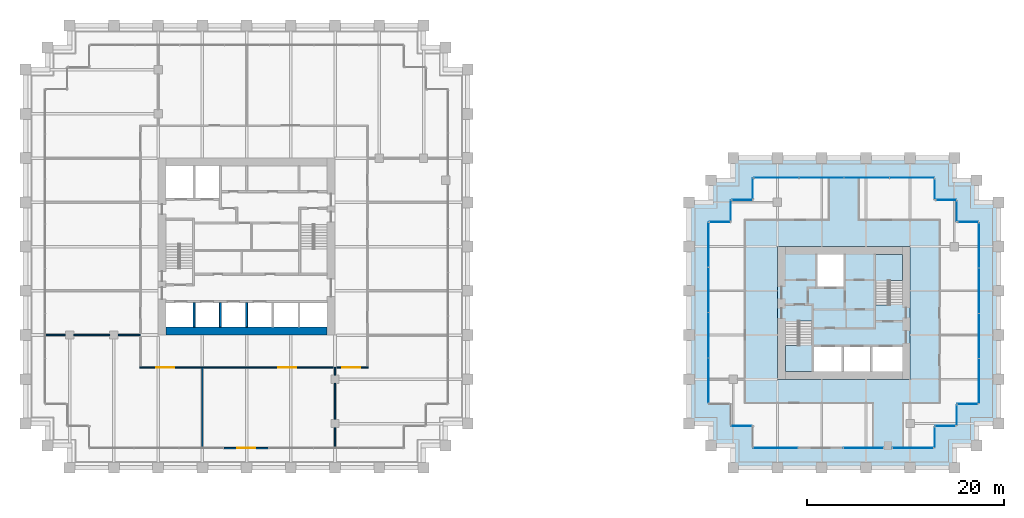
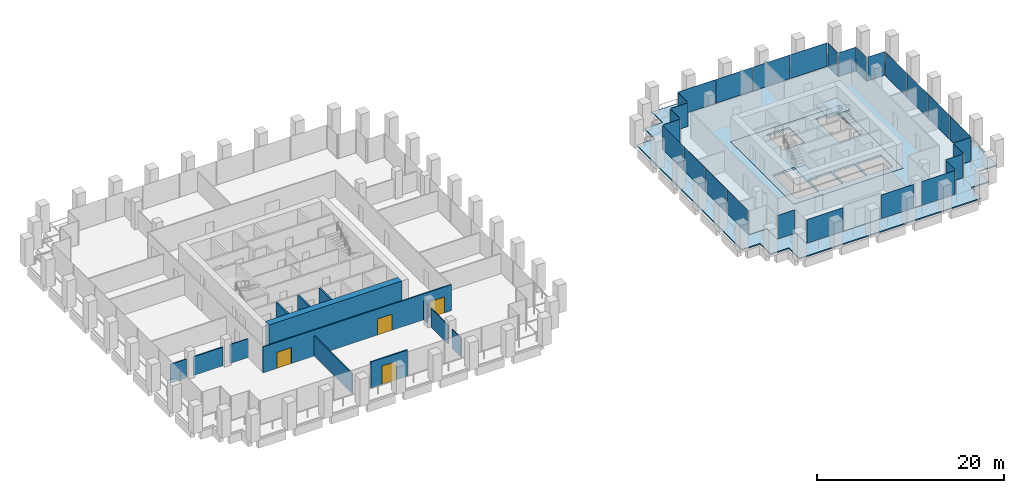
# One storey, part 49 of 56: 28 plates, 13 walls, 5 slabs, 4 doors, 4 openings, 21 elements without a shape of their own.
"""IFC4 building model written with IfcOpenShell, lengths in metres."""

from ifc_helpers import new_model, si_unit, direction, frame, frame_2d, origin, origin_2d, place, context, subcontext, project, spatial, polyline, rectangle, outline, extrude, material, layer, layer_set, type_object, element, fill, aggregate, save


model = new_model("IFC4")

# Units and contexts
model_context = context("Model", 3, precision=1e-05, world=origin(), true_north=direction((0.0, 1.0)))
body_context = subcontext(model_context, "Body", "Model", "MODEL_VIEW")
ifc_project = project(units=[si_unit("LENGTHUNIT", "METRE"), si_unit("AREAUNIT", "SQUARE_METRE"), si_unit("VOLUMEUNIT", "CUBIC_METRE"), si_unit("PLANEANGLEUNIT", "RADIAN"), si_unit("MASSUNIT", "GRAM", prefix="KILO")], contexts=[model_context])

# Site, building, storey
site_placement = place(None, origin())
site = spatial("IfcSite", under=ifc_project, at=site_placement, CompositionType="ELEMENT")
building_placement = place(site_placement, origin())
building = spatial("IfcBuilding", under=site, at=building_placement, Name="Altepetl Exchange Towers", CompositionType="ELEMENT")
storey_placement = place(building_placement, frame((0.0, 0.0, 83.39990234375)))
storey = spatial("IfcBuildingStorey", under=building, at=storey_placement, Name="L20", CompositionType="ELEMENT", Elevation=83.39990234375)

# Slabs
ifc_material_1 = material(Name="Concrete C40/50", Category="concrete")
ifc_layer_1 = layer(ifc_material_1, 0.14990234375)
ifc_layer_set_1 = layer_set([ifc_layer_1], Name="Concrete C40/50")
slab_type_1 = type_object("IfcSlabType", Name="Composite floor slab 150", PredefinedType="FLOOR", material=ifc_layer_set_1)
slab_1_placement = place(storey_placement, frame((0.0, 0.0, -0.14990234375)))
element("IfcSlab", 1, at=slab_1_placement, inside=storey, type_object=slab_type_1, Name="slab:B:L20:strip0", PredefinedType="FLOOR", context=body_context, shape_type="SweptSolid", body=[
    extrude(outline(polyline([(98.75, 54.25), (98.75, 52.0), (96.5, 52.0), (96.5, 33.5), (98.75, 33.5), (98.75, 31.25), (101.0, 31.25), (101.0, 29.0), (119.5, 29.0), (119.5, 31.25), (121.75, 31.25), (121.75, 33.5), (124.0, 33.5), (124.0, 52.0), (121.75, 52.0), (121.75, 54.25), (119.5, 54.25), (119.5, 56.5), (101.0, 56.5), (101.0, 54.25), (98.75, 54.25)]), holes=[polyline([(117.0, 49.5), (117.0, 36.0), (103.5, 36.0), (103.5, 49.5), (117.0, 49.5)])]), origin(), (0.0, 0.0, 1.0), 0.14990234375),
])
ifc_layer_2 = layer(ifc_material_1, 0.25)
ifc_layer_set_2 = layer_set([ifc_layer_2], Name="Concrete C40/50")
slab_type_2 = type_object("IfcSlabType", Name="Core floor slab 250", PredefinedType="FLOOR", material=ifc_layer_set_2)
slab_2_placement = place(storey_placement, frame((0.0, 0.0, -0.25)))
element("IfcSlab", 2, at=slab_2_placement, inside=storey, type_object=slab_type_2, Name="slab:B:L20:core0", PredefinedType="FLOOR", context=body_context, shape_type="SweptSolid", body=[
    extrude(outline(polyline([(103.5, 36.0), (117.0, 36.0), (117.0, 49.5), (103.5, 49.5), (103.5, 36.0)]), holes=[polyline([(107.199951171875, 36.800048828125), (107.199951171875, 39.300048828125), (110.032958984375, 39.300048828125), (110.032958984375, 36.800048828125), (107.199951171875, 36.800048828125)]), polyline([(110.23291015625, 39.300048828125), (112.967041015625, 39.300048828125), (112.967041015625, 36.800048828125), (110.23291015625, 36.800048828125), (110.23291015625, 39.300048828125)]), polyline([(113.1669921875, 39.300048828125), (116.199951171875, 39.300048828125), (116.199951171875, 36.800048828125), (113.1669921875, 36.800048828125), (113.1669921875, 39.300048828125)]), polyline([(107.0, 36.800048828125), (104.300048828125, 36.800048828125), (104.300048828125, 41.85009765625), (105.60009765625, 41.85009765625), (105.60009765625, 41.948974609375), (107.0, 41.948974609375), (107.0, 36.800048828125)]), polyline([(116.199951171875, 48.699951171875), (116.199951171875, 43.64990234375), (114.89990234375, 43.64990234375), (114.89990234375, 43.551025390625), (113.5, 43.551025390625), (113.5, 48.699951171875), (116.199951171875, 48.699951171875)]), polyline([(107.532958984375, 48.699951171875), (110.26708984375, 48.699951171875), (110.26708984375, 45.39990234375), (107.532958984375, 45.39990234375), (107.532958984375, 48.699951171875)])]), origin(), (0.0, 0.0, 1.0), 0.25),
])

# Curtain wall, plate
ifc_material_2 = material(Name="Aluminium 6063-T6 glazing", Category="aluminium")
curtain_wall_type = type_object("IfcCurtainWallType", Name="Loggia glazing system", PredefinedType="NOTDEFINED", material=ifc_material_2)
curtain_wall_1_placement = place(storey_placement, origin())
curtain_wall_1 = element("IfcCurtainWall", 3, at=curtain_wall_1_placement, inside=storey, type_object=curtain_wall_type, Name="CW1 run", PredefinedType="NOTDEFINED")
ifc_material_3 = material(Name="Glass 6-16-6 low emissivity", Category="glass")
ifc_layer_3 = layer(ifc_material_3, 0.028076171875)
ifc_layer_set_3 = layer_set([ifc_layer_3], Name="Glass 6-16-6 low emissivity")
plate_type = type_object("IfcPlateType", Name="Glass panel 28 double glazed", PredefinedType="CURTAIN_PANEL", material=ifc_layer_set_3)
plate_1_placement = place(storey_placement, frame((97.66259765625, 52.0, 0.0), z_axis=(0.0, 0.0, 1.0), x_axis=(-1.0, 0.0, 0.0)))
plate_1 = element("IfcPlate", 4, at=plate_1_placement, type_object=plate_type, Name="GP1 panel", PredefinedType="CURTAIN_PANEL", context=body_context, shape_type="SweptSolid", body=[
    extrude(rectangle(XDim=2.054931640625, YDim=0.028076171875, at=origin_2d()), origin(), (0.0, 0.0, 1.0), 3.10009765625),
])
aggregate(curtain_wall_1, [plate_1])

# Curtain wall, plates
curtain_wall_2_placement = place(storey_placement, origin())
curtain_wall_2 = element("IfcCurtainWall", 5, at=curtain_wall_2_placement, inside=storey, type_object=curtain_wall_type, Name="CW1 run", PredefinedType="NOTDEFINED")
plate_2_placement = place(storey_placement, frame((96.5, 49.681884765625, 0.0), z_axis=(0.0, 0.0, 1.0), x_axis=(0.0, -1.0, 0.0)))
plate_2 = element("IfcPlate", 6, at=plate_2_placement, type_object=plate_type, Name="GP1 panel", PredefinedType="CURTAIN_PANEL", context=body_context, shape_type="SweptSolid", body=[
    extrude(rectangle(XDim=4.516357421875, YDim=0.028076171875, at=origin_2d()), origin(), (0.0, 0.0, 1.0), 3.10009765625),
])
plate_3_placement = place(storey_placement, frame((96.5, 45.090576171875, 0.0), z_axis=(0.0, 0.0, 1.0), x_axis=(0.0, -1.0, 0.0)))
plate_3 = element("IfcPlate", 7, at=plate_3_placement, type_object=plate_type, Name="GP1 panel", PredefinedType="CURTAIN_PANEL", context=body_context, shape_type="SweptSolid", body=[
    extrude(rectangle(XDim=4.546142578125, YDim=0.028076171875, at=origin_2d()), origin(), (0.0, 0.0, 1.0), 3.10009765625),
])
plate_4_placement = place(storey_placement, frame((96.5, 40.484375, 0.0), z_axis=(0.0, 0.0, 1.0), x_axis=(0.0, -1.0, 0.0)))
plate_4 = element("IfcPlate", 8, at=plate_4_placement, type_object=plate_type, Name="GP1 panel", PredefinedType="CURTAIN_PANEL", context=body_context, shape_type="SweptSolid", body=[
    extrude(rectangle(XDim=4.546142578125, YDim=0.028076171875, at=origin_2d()), origin(), (0.0, 0.0, 1.0), 3.10009765625),
])
plate_5_placement = place(storey_placement, frame((96.5, 35.89306640625, 0.0), z_axis=(0.0, 0.0, 1.0), x_axis=(0.0, -1.0, 0.0)))
plate_5 = element("IfcPlate", 9, at=plate_5_placement, type_object=plate_type, Name="GP1 panel", PredefinedType="CURTAIN_PANEL", context=body_context, shape_type="SweptSolid", body=[
    extrude(rectangle(XDim=4.516357421875, YDim=0.028076171875, at=origin_2d()), origin(), (0.0, 0.0, 1.0), 3.10009765625),
])
aggregate(curtain_wall_2, [plate_2, plate_3, plate_4, plate_5])

# Curtain wall, plate
curtain_wall_3_placement = place(storey_placement, origin())
curtain_wall_3 = element("IfcCurtainWall", 10, at=curtain_wall_3_placement, inside=storey, type_object=curtain_wall_type, Name="CW1 run", PredefinedType="NOTDEFINED")
plate_6_placement = place(storey_placement, frame((99.83740234375, 31.25, 0.0)))
plate_6 = element("IfcPlate", 11, at=plate_6_placement, type_object=plate_type, Name="GP1 panel", PredefinedType="CURTAIN_PANEL", context=body_context, shape_type="SweptSolid", body=[
    extrude(rectangle(XDim=2.054931640625, YDim=0.028076171875, at=origin_2d()), origin(), (0.0, 0.0, 1.0), 3.10009765625),
])
aggregate(curtain_wall_3, [plate_6])

curtain_wall_4_placement = place(storey_placement, origin())
curtain_wall_4 = element("IfcCurtainWall", 12, at=curtain_wall_4_placement, inside=storey, type_object=curtain_wall_type, Name="CW1 run", PredefinedType="NOTDEFINED")
plate_7_placement = place(storey_placement, frame((103.30322265625, 29.0, 0.0)))
plate_7 = element("IfcPlate", 13, at=plate_7_placement, type_object=plate_type, Name="GP1 panel", PredefinedType="CURTAIN_PANEL", context=body_context, shape_type="SweptSolid", body=[
    extrude(rectangle(XDim=4.486328125, YDim=0.028076171875, at=origin_2d()), origin(), (0.0, 0.0, 1.0), 3.10009765625),
])
aggregate(curtain_wall_4, [plate_7])

curtain_wall_5_placement = place(storey_placement, origin())
curtain_wall_5 = element("IfcCurtainWall", 14, at=curtain_wall_5_placement, inside=storey, type_object=curtain_wall_type, Name="CW1 run", PredefinedType="NOTDEFINED")
plate_8_placement = place(storey_placement, frame((112.2587890625, 29.0, 0.0)))
plate_8 = element("IfcPlate", 15, at=plate_8_placement, type_object=plate_type, Name="GP1 panel", PredefinedType="CURTAIN_PANEL", context=body_context, shape_type="SweptSolid", body=[
    extrude(rectangle(XDim=3.972412109375, YDim=0.028076171875, at=origin_2d()), origin(), (0.0, 0.0, 1.0), 3.10009765625),
])
aggregate(curtain_wall_5, [plate_8])

curtain_wall_6_placement = place(storey_placement, origin())
curtain_wall_6 = element("IfcCurtainWall", 16, at=curtain_wall_6_placement, inside=storey, type_object=curtain_wall_type, Name="CW1 run", PredefinedType="NOTDEFINED")
plate_9_placement = place(storey_placement, frame((117.31005859375, 29.0, 0.0)))
plate_9 = element("IfcPlate", 17, at=plate_9_placement, type_object=plate_type, Name="GP1 panel", PredefinedType="CURTAIN_PANEL", context=body_context, shape_type="SweptSolid", body=[
    extrude(rectangle(XDim=4.110107421875, YDim=0.028076171875, at=origin_2d()), origin(), (0.0, 0.0, 1.0), 3.10009765625),
])
aggregate(curtain_wall_6, [plate_9])

curtain_wall_7_placement = place(storey_placement, origin())
curtain_wall_7 = element("IfcCurtainWall", 18, at=curtain_wall_7_placement, inside=storey, type_object=curtain_wall_type, Name="CW1 run", PredefinedType="NOTDEFINED")
plate_10_placement = place(storey_placement, frame((119.5, 30.08740234375, 0.0), z_axis=(0.0, 0.0, 1.0), x_axis=(0.0, 1.0, 0.0)))
plate_10 = element("IfcPlate", 19, at=plate_10_placement, type_object=plate_type, Name="GP1 panel", PredefinedType="CURTAIN_PANEL", context=body_context, shape_type="SweptSolid", body=[
    extrude(rectangle(XDim=2.054931640625, YDim=0.028076171875, at=origin_2d()), origin(), (0.0, 0.0, 1.0), 3.10009765625),
])
aggregate(curtain_wall_7, [plate_10])

curtain_wall_8_placement = place(storey_placement, origin())
curtain_wall_8 = element("IfcCurtainWall", 20, at=curtain_wall_8_placement, inside=storey, type_object=curtain_wall_type, Name="CW1 run", PredefinedType="NOTDEFINED")
plate_11_placement = place(storey_placement, frame((120.58740234375, 31.25, 0.0)))
plate_11 = element("IfcPlate", 21, at=plate_11_placement, type_object=plate_type, Name="GP1 panel", PredefinedType="CURTAIN_PANEL", context=body_context, shape_type="SweptSolid", body=[
    extrude(rectangle(XDim=2.054931640625, YDim=0.028076171875, at=origin_2d()), origin(), (0.0, 0.0, 1.0), 3.10009765625),
])
aggregate(curtain_wall_8, [plate_11])

curtain_wall_9_placement = place(storey_placement, origin())
curtain_wall_9 = element("IfcCurtainWall", 22, at=curtain_wall_9_placement, inside=storey, type_object=curtain_wall_type, Name="CW1 run", PredefinedType="NOTDEFINED")
plate_12_placement = place(storey_placement, frame((121.75, 32.33740234375, 0.0), z_axis=(0.0, 0.0, 1.0), x_axis=(0.0, 1.0, 0.0)))
plate_12 = element("IfcPlate", 23, at=plate_12_placement, type_object=plate_type, Name="GP1 panel", PredefinedType="CURTAIN_PANEL", context=body_context, shape_type="SweptSolid", body=[
    extrude(rectangle(XDim=2.054931640625, YDim=0.028076171875, at=origin_2d()), origin(), (0.0, 0.0, 1.0), 3.10009765625),
])
aggregate(curtain_wall_9, [plate_12])

curtain_wall_10_placement = place(storey_placement, origin())
curtain_wall_10 = element("IfcCurtainWall", 24, at=curtain_wall_10_placement, inside=storey, type_object=curtain_wall_type, Name="CW1 run", PredefinedType="NOTDEFINED")
plate_13_placement = place(storey_placement, frame((122.83740234375, 33.5, 0.0)))
plate_13 = element("IfcPlate", 25, at=plate_13_placement, type_object=plate_type, Name="GP1 panel", PredefinedType="CURTAIN_PANEL", context=body_context, shape_type="SweptSolid", body=[
    extrude(rectangle(XDim=2.054931640625, YDim=0.028076171875, at=origin_2d()), origin(), (0.0, 0.0, 1.0), 3.10009765625),
])
aggregate(curtain_wall_10, [plate_13])

# Curtain wall, plates
curtain_wall_11_placement = place(storey_placement, origin())
curtain_wall_11 = element("IfcCurtainWall", 26, at=curtain_wall_11_placement, inside=storey, type_object=curtain_wall_type, Name="CW1 run", PredefinedType="NOTDEFINED")
plate_14_placement = place(storey_placement, frame((124.0, 35.818115234375, 0.0), z_axis=(0.0, 0.0, 1.0), x_axis=(0.0, 1.0, 0.0)))
plate_14 = element("IfcPlate", 27, at=plate_14_placement, type_object=plate_type, Name="GP1 panel", PredefinedType="CURTAIN_PANEL", context=body_context, shape_type="SweptSolid", body=[
    extrude(rectangle(XDim=4.516357421875, YDim=0.028076171875, at=origin_2d()), origin(), (0.0, 0.0, 1.0), 3.10009765625),
])
plate_15_placement = place(storey_placement, frame((124.0, 40.409423828125, 0.0), z_axis=(0.0, 0.0, 1.0), x_axis=(0.0, 1.0, 0.0)))
plate_15 = element("IfcPlate", 28, at=plate_15_placement, type_object=plate_type, Name="GP1 panel", PredefinedType="CURTAIN_PANEL", context=body_context, shape_type="SweptSolid", body=[
    extrude(rectangle(XDim=4.546142578125, YDim=0.028076171875, at=origin_2d()), origin(), (0.0, 0.0, 1.0), 3.10009765625),
])
plate_16_placement = place(storey_placement, frame((124.0, 45.015625, 0.0), z_axis=(0.0, 0.0, 1.0), x_axis=(0.0, 1.0, 0.0)))
plate_16 = element("IfcPlate", 29, at=plate_16_placement, type_object=plate_type, Name="GP1 panel", PredefinedType="CURTAIN_PANEL", context=body_context, shape_type="SweptSolid", body=[
    extrude(rectangle(XDim=4.546142578125, YDim=0.028076171875, at=origin_2d()), origin(), (0.0, 0.0, 1.0), 3.10009765625),
])
plate_17_placement = place(storey_placement, frame((124.0, 49.60693359375, 0.0), z_axis=(0.0, 0.0, 1.0), x_axis=(0.0, 1.0, 0.0)))
plate_17 = element("IfcPlate", 30, at=plate_17_placement, type_object=plate_type, Name="GP1 panel", PredefinedType="CURTAIN_PANEL", context=body_context, shape_type="SweptSolid", body=[
    extrude(rectangle(XDim=4.516357421875, YDim=0.028076171875, at=origin_2d()), origin(), (0.0, 0.0, 1.0), 3.10009765625),
])
aggregate(curtain_wall_11, [plate_14, plate_15, plate_16, plate_17])

# Curtain wall, plate
curtain_wall_12_placement = place(storey_placement, origin())
curtain_wall_12 = element("IfcCurtainWall", 31, at=curtain_wall_12_placement, inside=storey, type_object=curtain_wall_type, Name="CW1 run", PredefinedType="NOTDEFINED")
plate_18_placement = place(storey_placement, frame((122.91259765625, 52.0, 0.0), z_axis=(0.0, 0.0, 1.0), x_axis=(-1.0, 0.0, 0.0)))
plate_18 = element("IfcPlate", 32, at=plate_18_placement, type_object=plate_type, Name="GP1 panel", PredefinedType="CURTAIN_PANEL", context=body_context, shape_type="SweptSolid", body=[
    extrude(rectangle(XDim=2.054931640625, YDim=0.028076171875, at=origin_2d()), origin(), (0.0, 0.0, 1.0), 3.10009765625),
])
aggregate(curtain_wall_12, [plate_18])

curtain_wall_13_placement = place(storey_placement, origin())
curtain_wall_13 = element("IfcCurtainWall", 33, at=curtain_wall_13_placement, inside=storey, type_object=curtain_wall_type, Name="CW1 run", PredefinedType="NOTDEFINED")
plate_19_placement = place(storey_placement, frame((121.75, 53.08740234375, 0.0), z_axis=(0.0, 0.0, 1.0), x_axis=(0.0, 1.0, 0.0)))
plate_19 = element("IfcPlate", 34, at=plate_19_placement, type_object=plate_type, Name="GP1 panel", PredefinedType="CURTAIN_PANEL", context=body_context, shape_type="SweptSolid", body=[
    extrude(rectangle(XDim=2.054931640625, YDim=0.028076171875, at=origin_2d()), origin(), (0.0, 0.0, 1.0), 3.10009765625),
])
aggregate(curtain_wall_13, [plate_19])

curtain_wall_14_placement = place(storey_placement, origin())
curtain_wall_14 = element("IfcCurtainWall", 35, at=curtain_wall_14_placement, inside=storey, type_object=curtain_wall_type, Name="CW1 run", PredefinedType="NOTDEFINED")
plate_20_placement = place(storey_placement, frame((120.66259765625, 54.25, 0.0), z_axis=(0.0, 0.0, 1.0), x_axis=(-1.0, 0.0, 0.0)))
plate_20 = element("IfcPlate", 36, at=plate_20_placement, type_object=plate_type, Name="GP1 panel", PredefinedType="CURTAIN_PANEL", context=body_context, shape_type="SweptSolid", body=[
    extrude(rectangle(XDim=2.054931640625, YDim=0.028076171875, at=origin_2d()), origin(), (0.0, 0.0, 1.0), 3.10009765625),
])
aggregate(curtain_wall_14, [plate_20])

curtain_wall_15_placement = place(storey_placement, origin())
curtain_wall_15 = element("IfcCurtainWall", 37, at=curtain_wall_15_placement, inside=storey, type_object=curtain_wall_type, Name="CW1 run", PredefinedType="NOTDEFINED")
plate_21_placement = place(storey_placement, frame((119.5, 55.33740234375, 0.0), z_axis=(0.0, 0.0, 1.0), x_axis=(0.0, 1.0, 0.0)))
plate_21 = element("IfcPlate", 38, at=plate_21_placement, type_object=plate_type, Name="GP1 panel", PredefinedType="CURTAIN_PANEL", context=body_context, shape_type="SweptSolid", body=[
    extrude(rectangle(XDim=2.054931640625, YDim=0.028076171875, at=origin_2d()), origin(), (0.0, 0.0, 1.0), 3.10009765625),
])
aggregate(curtain_wall_15, [plate_21])

# Curtain wall, plates
curtain_wall_16_placement = place(storey_placement, origin())
curtain_wall_16 = element("IfcCurtainWall", 39, at=curtain_wall_16_placement, inside=storey, type_object=curtain_wall_type, Name="CW1 run", PredefinedType="NOTDEFINED")
plate_22_placement = place(storey_placement, frame((117.181884765625, 56.5, 0.0), z_axis=(0.0, 0.0, 1.0), x_axis=(-1.0, 0.0, 0.0)))
plate_22 = element("IfcPlate", 40, at=plate_22_placement, type_object=plate_type, Name="GP1 panel", PredefinedType="CURTAIN_PANEL", context=body_context, shape_type="SweptSolid", body=[
    extrude(rectangle(XDim=4.516357421875, YDim=0.028076171875, at=origin_2d()), origin(), (0.0, 0.0, 1.0), 3.10009765625),
])
plate_23_placement = place(storey_placement, frame((112.590576171875, 56.5, 0.0), z_axis=(0.0, 0.0, 1.0), x_axis=(-1.0, 0.0, 0.0)))
plate_23 = element("IfcPlate", 41, at=plate_23_placement, type_object=plate_type, Name="GP1 panel", PredefinedType="CURTAIN_PANEL", context=body_context, shape_type="SweptSolid", body=[
    extrude(rectangle(XDim=4.546142578125, YDim=0.028076171875, at=origin_2d()), origin(), (0.0, 0.0, 1.0), 3.10009765625),
])
plate_24_placement = place(storey_placement, frame((107.984375, 56.5, 0.0), z_axis=(0.0, 0.0, 1.0), x_axis=(-1.0, 0.0, 0.0)))
plate_24 = element("IfcPlate", 42, at=plate_24_placement, type_object=plate_type, Name="GP1 panel", PredefinedType="CURTAIN_PANEL", context=body_context, shape_type="SweptSolid", body=[
    extrude(rectangle(XDim=4.546142578125, YDim=0.028076171875, at=origin_2d()), origin(), (0.0, 0.0, 1.0), 3.10009765625),
])
plate_25_placement = place(storey_placement, frame((103.39306640625, 56.5, 0.0), z_axis=(0.0, 0.0, 1.0), x_axis=(-1.0, 0.0, 0.0)))
plate_25 = element("IfcPlate", 43, at=plate_25_placement, type_object=plate_type, Name="GP1 panel", PredefinedType="CURTAIN_PANEL", context=body_context, shape_type="SweptSolid", body=[
    extrude(rectangle(XDim=4.516357421875, YDim=0.028076171875, at=origin_2d()), origin(), (0.0, 0.0, 1.0), 3.10009765625),
])
aggregate(curtain_wall_16, [plate_22, plate_23, plate_24, plate_25])

# Curtain wall, plate
curtain_wall_17_placement = place(storey_placement, origin())
curtain_wall_17 = element("IfcCurtainWall", 44, at=curtain_wall_17_placement, inside=storey, type_object=curtain_wall_type, Name="CW1 run", PredefinedType="NOTDEFINED")
plate_26_placement = place(storey_placement, frame((101.0, 55.41259765625, 0.0), z_axis=(0.0, 0.0, 1.0), x_axis=(0.0, -1.0, 0.0)))
plate_26 = element("IfcPlate", 45, at=plate_26_placement, type_object=plate_type, Name="GP1 panel", PredefinedType="CURTAIN_PANEL", context=body_context, shape_type="SweptSolid", body=[
    extrude(rectangle(XDim=2.054931640625, YDim=0.028076171875, at=origin_2d()), origin(), (0.0, 0.0, 1.0), 3.10009765625),
])
aggregate(curtain_wall_17, [plate_26])

curtain_wall_18_placement = place(storey_placement, origin())
curtain_wall_18 = element("IfcCurtainWall", 46, at=curtain_wall_18_placement, inside=storey, type_object=curtain_wall_type, Name="CW1 run", PredefinedType="NOTDEFINED")
plate_27_placement = place(storey_placement, frame((99.91259765625, 54.25, 0.0), z_axis=(0.0, 0.0, 1.0), x_axis=(-1.0, 0.0, 0.0)))
plate_27 = element("IfcPlate", 47, at=plate_27_placement, type_object=plate_type, Name="GP1 panel", PredefinedType="CURTAIN_PANEL", context=body_context, shape_type="SweptSolid", body=[
    extrude(rectangle(XDim=2.054931640625, YDim=0.028076171875, at=origin_2d()), origin(), (0.0, 0.0, 1.0), 3.10009765625),
])
aggregate(curtain_wall_18, [plate_27])

curtain_wall_19_placement = place(storey_placement, origin())
curtain_wall_19 = element("IfcCurtainWall", 48, at=curtain_wall_19_placement, inside=storey, type_object=curtain_wall_type, Name="CW1 run", PredefinedType="NOTDEFINED")
plate_28_placement = place(storey_placement, frame((98.75, 53.16259765625, 0.0), z_axis=(0.0, 0.0, 1.0), x_axis=(0.0, -1.0, 0.0)))
plate_28 = element("IfcPlate", 49, at=plate_28_placement, type_object=plate_type, Name="GP1 panel", PredefinedType="CURTAIN_PANEL", context=body_context, shape_type="SweptSolid", body=[
    extrude(rectangle(XDim=2.054931640625, YDim=0.028076171875, at=origin_2d()), origin(), (0.0, 0.0, 1.0), 3.10009765625),
])
aggregate(curtain_wall_19, [plate_28])

# Slab
ifc_layer_4 = layer(ifc_material_1, 0.14990234375)
ifc_layer_set_4 = layer_set([ifc_layer_4], Name="Concrete C40/50")
slab_type_3 = type_object("IfcSlabType", Name="Loggia slab 150", PredefinedType="FLOOR", material=ifc_layer_set_4)
slab_3_placement = place(storey_placement, frame((0.0, 0.0, -0.14990234375)))
element("IfcSlab", 50, at=slab_3_placement, inside=storey, type_object=slab_type_3, Name="slab:B:L20:loggia0", PredefinedType="FLOOR", context=body_context, shape_type="SweptSolid", body=[
    extrude(outline(polyline([(96.75, 54.0), (94.5, 54.0), (94.5, 36.0), (94.5, 31.5), (96.75, 31.5), (96.75, 29.25), (99.0, 29.25), (99.0, 27.0), (117.0, 27.0), (121.5, 27.0), (121.5, 29.25), (123.75, 29.25), (123.75, 31.5), (126.0, 31.5), (126.0, 49.5), (126.0, 54.0), (123.75, 54.0), (123.75, 56.25), (121.5, 56.25), (121.5, 58.5), (103.5, 58.5), (99.0, 58.5), (99.0, 56.25), (96.75, 56.25), (96.75, 54.0)]), holes=[polyline([(96.5, 52.0), (98.75, 52.0), (98.75, 54.25), (101.0, 54.25), (101.0, 56.5), (119.5, 56.5), (119.5, 54.25), (121.75, 54.25), (121.75, 52.0), (124.0, 52.0), (124.0, 33.5), (121.75, 33.5), (121.75, 31.25), (119.5, 31.25), (119.5, 29.0), (101.0, 29.0), (101.0, 31.25), (98.75, 31.25), (98.75, 33.5), (96.5, 33.5), (96.5, 52.0)])]), origin(), (0.0, 0.0, 1.0), 0.14990234375),
])

# Stair, slab
stair_type = type_object("IfcStairType", Name="Exit stair 1300 flights dogleg", PredefinedType="HALF_TURN_STAIR", material=ifc_material_1)
stair_1_placement = place(storey_placement, origin())
stair_1 = element("IfcStair", 51, at=stair_1_placement, inside=storey, type_object=stair_type, Name="Exit stair 1", PredefinedType="HALF_TURN_STAIR")
ifc_layer_5 = layer(ifc_material_1, 0.199951171875)
ifc_layer_set_5 = layer_set([ifc_layer_5], Name="Concrete C40/50")
slab_type_4 = type_object("IfcSlabType", Name="Stair landing 200 reinforced concrete", PredefinedType="LANDING", material=ifc_layer_set_5)
slab_4_placement = place(storey_placement, frame((0.0, 0.0, 1.60009765625)))
slab_4 = element("IfcSlab", 52, at=slab_4_placement, type_object=slab_type_4, Name="ST-B1c landing 1", PredefinedType="LANDING", context=body_context, shape_type="SweptSolid", body=[
    extrude(outline(polyline([(107.0, 36.800048828125), (104.300048828125, 36.800048828125), (104.300048828125, 39.429931640625), (104.300048828125, 39.4306640625), (105.60009765625, 39.4306640625), (105.60009765625, 39.429931640625), (105.699951171875, 39.429931640625), (105.699951171875, 39.530029296875), (107.0, 39.530029296875), (107.0, 39.429931640625), (107.0, 36.800048828125)])), origin(), (0.0, 0.0, 1.0), 0.199951171875),
])
aggregate(stair_1, [slab_4])

stair_2_placement = place(storey_placement, origin())
stair_2 = element("IfcStair", 53, at=stair_2_placement, inside=storey, type_object=stair_type, Name="Exit stair 2", PredefinedType="HALF_TURN_STAIR")
slab_5_placement = place(storey_placement, frame((0.0, 0.0, 1.60009765625)))
slab_5 = element("IfcSlab", 54, at=slab_5_placement, type_object=slab_type_4, Name="ST-B2c landing 1", PredefinedType="LANDING", context=body_context, shape_type="SweptSolid", body=[
    extrude(outline(polyline([(114.800048828125, 45.969970703125), (113.5, 45.969970703125), (113.5, 46.070068359375), (113.5, 48.699951171875), (116.199951171875, 48.699951171875), (116.199951171875, 46.070068359375), (116.199951171875, 46.0693359375), (114.89990234375, 46.0693359375), (114.89990234375, 46.070068359375), (114.800048828125, 46.070068359375), (114.800048828125, 45.969970703125)])), origin(), (0.0, 0.0, 1.0), 0.199951171875),
])
aggregate(stair_2, [slab_5])

# Wall
ifc_material_4 = material(Name="Concrete C70/85", Category="concrete")
ifc_layer_6 = layer(ifc_material_4, 0.800048828125)
ifc_layer_set_6 = layer_set([ifc_layer_6], Name="Concrete C70/85")
wall_type_1 = type_object("IfcWallType", Name="Core wall 800 reinforced concrete", PredefinedType="SHEAR", material=ifc_layer_set_6)
wall_1_placement = place(storey_placement, frame((41.300048828125, 40.89990234375, 0.0)))
element("IfcWall", 55, at=wall_1_placement, inside=storey, type_object=wall_type_1, Name="wall:A:L20:K-coreS", PredefinedType="SHEAR", context=body_context, shape_type="SweptSolid", body=[
    extrude(rectangle(XDim=16.39990234375, YDim=0.800048828125, at=frame_2d((8.199951171875, 0.0))), origin(), (0.0, 0.0, 1.0), 3.300048828125),
])

# Wall, opening, door
ifc_material_5 = material(Name="Aluminium composite cladding", Category="aluminium")
ifc_layer_7 = layer(ifc_material_5, 0.14990234375)
ifc_layer_set_7 = layer_set([ifc_layer_7], Name="Aluminium composite cladding")
wall_type_2 = type_object("IfcWallType", Name="Infill wall 150 aluminium panel", PredefinedType="SOLIDWALL", material=ifc_layer_set_7)
wall_2_placement = place(storey_placement, frame((47.18212890625, 29.0, 0.0)))
wall_2 = element("IfcWall", 56, at=wall_2_placement, inside=storey, type_object=wall_type_2, Name="Loggia door bay wall", PredefinedType="SOLIDWALL", context=body_context, shape_type="SweptSolid", body=[
    extrude(rectangle(XDim=4.560791015625, YDim=0.14990234375, at=frame_2d((2.2802734375, 0.0))), origin(), (0.0, 0.0, 1.0), 3.400146484375),
])
opening_1_placement = place(wall_2_placement, frame((1.38037109375, 0.0, 0.0)))
opening_1 = element("IfcOpeningElement", 57, at=opening_1_placement, cuts=wall_2, Name="Opening L20.A90", PredefinedType="OPENING", context=body_context, shape_type="SweptSolid", body=[
    extrude(rectangle(XDim=1.800048828125, YDim=2.39990234375, at=frame_2d((0.89990234375, 1.199951171875))), frame((0.0, 0.0849609375, 0.0), z_axis=(0.0, -1.0, 0.0), x_axis=(1.0, 0.0, 0.0)), (0.0, 0.0, 1.0), 0.169921875),
])
ifc_material_6 = material(Name="Aluminium 6063-T6 and glass", Category="aluminium")
door_type_1 = type_object("IfcDoorType", Name="Glazed door pair 1800x2400", OperationType="DOUBLE_DOOR_DOUBLE_SWING", PredefinedType="NOTDEFINED", material=ifc_material_6)
door_1_placement = place(opening_1_placement, frame((1.800048828125, 0.0, 0.0), x_axis=(-1.0, 0.0, 0.0)))
door_1 = element("IfcDoor", 58, at=door_1_placement, inside=storey, type_object=door_type_1, Name="Loggia door", OperationType="DOUBLE_DOOR_DOUBLE_SWING", OverallHeight=2.39990234375, OverallWidth=1.800048828125, PredefinedType="NOTDEFINED", context=body_context, shape_type="SweptSolid", body=[
    extrude(rectangle(XDim=1.800048828125, YDim=2.39990234375, at=frame_2d((0.89990234375, 1.199951171875))), frame((0.0, 0.02490234375, 0.0), z_axis=(0.0, -1.0, 0.0), x_axis=(1.0, 0.0, 0.0)), (0.0, 0.0, 1.0), 0.050048828125),
])
fill(opening_1, door_1)

# Wall, openings, doors
ifc_material_7 = material(Name="Gypsum board on steel studs", Category="steel")
ifc_layer_8 = layer(ifc_material_7, 0.125)
ifc_layer_set_8 = layer_set([ifc_layer_8], Name="Gypsum board on steel studs")
wall_type_3 = type_object("IfcWallType", Name="Partition 125 gypsum board on steel studs", PredefinedType="PARTITIONING", material=ifc_layer_set_8)
wall_3_placement = place(storey_placement, frame((38.637451171875, 37.199951171875, 0.0)))
wall_3 = element("IfcWall", 59, at=wall_3_placement, inside=storey, type_object=wall_type_3, Name="wall:A:L20:P01", PredefinedType="PARTITIONING", context=body_context, shape_type="SweptSolid", body=[
    extrude(rectangle(XDim=23.22509765625, YDim=0.125, at=frame_2d((11.612548828125, 0.0))), origin(), (0.0, 0.0, 1.0), 3.400146484375),
])
opening_2_placement = place(wall_3_placement, frame((1.6826171875, 0.0, 0.0)))
opening_2 = element("IfcOpeningElement", 60, at=opening_2_placement, cuts=wall_3, Name="Opening L20.A02", PredefinedType="OPENING", context=body_context, shape_type="SweptSolid", body=[
    extrude(rectangle(XDim=1.800048828125, YDim=2.10009765625, at=frame_2d((0.89990234375, 1.050048828125))), frame((0.0, 0.072509765625, 0.0), z_axis=(0.0, -1.0, 0.0), x_axis=(1.0, 0.0, 0.0)), (0.0, 0.0, 1.0), 0.14501953125),
])
opening_3_placement = place(wall_3_placement, frame((14.1025390625, 0.0, 0.0)))
opening_3 = element("IfcOpeningElement", 61, at=opening_3_placement, cuts=wall_3, Name="Opening L20.A03", PredefinedType="OPENING", context=body_context, shape_type="SweptSolid", body=[
    extrude(rectangle(XDim=1.800048828125, YDim=2.10009765625, at=frame_2d((0.89990234375, 1.050048828125))), frame((0.0, 0.072509765625, 0.0), z_axis=(0.0, -1.0, 0.0), x_axis=(1.0, 0.0, 0.0)), (0.0, 0.0, 1.0), 0.14501953125),
])
opening_4_placement = place(wall_3_placement, frame((20.612548828125, 0.0, 0.0)))
opening_4 = element("IfcOpeningElement", 62, at=opening_4_placement, cuts=wall_3, Name="Opening L20.A04", PredefinedType="OPENING", context=body_context, shape_type="SweptSolid", body=[
    extrude(rectangle(XDim=1.800048828125, YDim=2.10009765625, at=frame_2d((0.89990234375, 1.050048828125))), frame((0.0, 0.072509765625, 0.0), z_axis=(0.0, -1.0, 0.0), x_axis=(1.0, 0.0, 0.0)), (0.0, 0.0, 1.0), 0.14501953125),
])
ifc_material_8 = material(Name="Steel and timber fire door", Category="steel")
door_type_2 = type_object("IfcDoorType", Name="Fire door 1800 x 2100 double leaf", OperationType="DOUBLE_DOOR_SINGLE_SWING", PredefinedType="DOOR", material=ifc_material_8)
door_2_placement = place(opening_2_placement, frame((1.800048828125, 0.0, 0.0), x_axis=(-1.0, 0.0, 0.0)))
door_2 = element("IfcDoor", 63, at=door_2_placement, inside=storey, type_object=door_type_2, Name="door:A:L20:02", OperationType="DOUBLE_DOOR_SINGLE_SWING", OverallHeight=2.10009765625, OverallWidth=1.800048828125, PredefinedType="DOOR", context=body_context, shape_type="SweptSolid", body=[
    extrude(rectangle(XDim=1.800048828125, YDim=2.10009765625, at=frame_2d((0.89990234375, 1.050048828125))), frame((0.0, 0.02490234375, 0.0), z_axis=(0.0, -1.0, 0.0), x_axis=(1.0, 0.0, 0.0)), (0.0, 0.0, 1.0), 0.050048828125),
])
fill(opening_2, door_2)
door_3_placement = place(opening_3_placement, frame((1.800048828125, 0.0, 0.0), x_axis=(-1.0, 0.0, 0.0)))
door_3 = element("IfcDoor", 64, at=door_3_placement, inside=storey, type_object=door_type_2, Name="door:A:L20:03", OperationType="DOUBLE_DOOR_SINGLE_SWING", OverallHeight=2.10009765625, OverallWidth=1.800048828125, PredefinedType="DOOR", context=body_context, shape_type="SweptSolid", body=[
    extrude(rectangle(XDim=1.800048828125, YDim=2.10009765625, at=frame_2d((0.89990234375, 1.050048828125))), frame((0.0, 0.02490234375, 0.0), z_axis=(0.0, -1.0, 0.0), x_axis=(1.0, 0.0, 0.0)), (0.0, 0.0, 1.0), 0.050048828125),
])
fill(opening_3, door_3)
door_4_placement = place(opening_4_placement, frame((1.800048828125, 0.0, 0.0), x_axis=(-1.0, 0.0, 0.0)))
door_4 = element("IfcDoor", 65, at=door_4_placement, inside=storey, type_object=door_type_2, Name="door:A:L20:04", OperationType="DOUBLE_DOOR_SINGLE_SWING", OverallHeight=2.10009765625, OverallWidth=1.800048828125, PredefinedType="DOOR", context=body_context, shape_type="SweptSolid", body=[
    extrude(rectangle(XDim=1.800048828125, YDim=2.10009765625, at=frame_2d((0.89990234375, 1.050048828125))), frame((0.0, 0.02490234375, 0.0), z_axis=(0.0, -1.0, 0.0), x_axis=(1.0, 0.0, 0.0)), (0.0, 0.0, 1.0), 0.050048828125),
])
fill(opening_4, door_4)

# Walls
wall_4_placement = place(storey_placement, frame((29.10009765625, 40.5, 0.0)))
element("IfcWall", 66, at=wall_4_placement, inside=storey, type_object=wall_type_3, Name="wall:A:L20:P02", PredefinedType="PARTITIONING", context=body_context, shape_type="SweptSolid", body=[
    extrude(rectangle(XDim=1.974853515625, YDim=0.125, at=frame_2d((0.9873046875, 0.0))), origin(), (0.0, 0.0, 1.0), 2.45703125),
])
wall_5_placement = place(storey_placement, frame((31.925048828125, 40.5, 0.0)))
element("IfcWall", 67, at=wall_5_placement, inside=storey, type_object=wall_type_3, Name="wall:A:L20:P03", PredefinedType="PARTITIONING", context=body_context, shape_type="SweptSolid", body=[
    extrude(rectangle(XDim=3.64990234375, YDim=0.125, at=frame_2d((1.824951171875, 0.0))), origin(), (0.0, 0.0, 1.0), 2.45703125),
])
wall_6_placement = place(storey_placement, frame((36.425048828125, 40.5, 0.0)))
element("IfcWall", 68, at=wall_6_placement, inside=storey, type_object=wall_type_3, Name="wall:A:L20:P04", PredefinedType="PARTITIONING", context=body_context, shape_type="SweptSolid", body=[
    extrude(rectangle(XDim=2.27490234375, YDim=0.125, at=frame_2d((1.137451171875, 0.0))), origin(), (0.0, 0.0, 1.0), 2.45703125),
])
wall_7_placement = place(storey_placement, frame((45.0, 29.10009765625, 0.0), z_axis=(0.0, 0.0, 1.0), x_axis=(0.0, 1.0, 0.0)))
element("IfcWall", 69, at=wall_7_placement, inside=storey, type_object=wall_type_3, Name="wall:A:L20:P19", PredefinedType="PARTITIONING", context=body_context, shape_type="SweptSolid", body=[
    extrude(rectangle(XDim=8.099853515625, YDim=0.125, at=frame_2d((4.0498046875, 0.0))), origin(), (0.0, 0.0, 1.0), 2.6259765625),
])
wall_8_placement = place(storey_placement, frame((58.5, 29.10009765625, 0.0), z_axis=(0.0, 0.0, 1.0), x_axis=(0.0, 1.0, 0.0)))
element("IfcWall", 70, at=wall_8_placement, inside=storey, type_object=wall_type_3, Name="wall:A:L20:P21", PredefinedType="PARTITIONING", context=body_context, shape_type="SweptSolid", body=[
    extrude(rectangle(XDim=1.974853515625, YDim=0.125, at=frame_2d((0.9873046875, 0.0))), origin(), (0.0, 0.0, 1.0), 2.45703125),
])
wall_9_placement = place(storey_placement, frame((58.5, 31.925048828125, 0.0), z_axis=(0.0, 0.0, 1.0), x_axis=(0.0, 1.0, 0.0)))
element("IfcWall", 71, at=wall_9_placement, inside=storey, type_object=wall_type_3, Name="wall:A:L20:P22", PredefinedType="PARTITIONING", context=body_context, shape_type="SweptSolid", body=[
    extrude(rectangle(XDim=3.64990234375, YDim=0.125, at=frame_2d((1.824951171875, 0.0))), origin(), (0.0, 0.0, 1.0), 2.45703125),
])
wall_10_placement = place(storey_placement, frame((58.5, 36.425048828125, 0.0), z_axis=(0.0, 0.0, 1.0), x_axis=(0.0, 1.0, 0.0)))
element("IfcWall", 72, at=wall_10_placement, inside=storey, type_object=wall_type_3, Name="wall:A:L20:P23", PredefinedType="PARTITIONING", context=body_context, shape_type="SweptSolid", body=[
    extrude(rectangle(XDim=0.77490234375, YDim=0.125, at=frame_2d((0.387451171875, 0.0))), origin(), (0.0, 0.0, 1.0), 2.45703125),
])
ifc_layer_9 = layer(ifc_material_1, 0.199951171875)
ifc_layer_set_9 = layer_set([ifc_layer_9], Name="Concrete C40/50")
wall_type_4 = type_object("IfcWallType", Name="Shaft wall 200 reinforced concrete", PredefinedType="SHEAR", material=ifc_layer_set_9)
for number, where, z_axis, x_axis, name in (
    (73, (44.166748046875, 41.300048828125, 0.0), (0.0, 0.0, 1.0), (0.0, 1.0, 0.0), "wall:A:L20:K-divS1"),
    (74, (46.833251953125, 41.300048828125, 0.0), (0.0, 0.0, 1.0), (0.0, 1.0, 0.0), "wall:A:L20:K-divS2"),
    (75, (49.5, 41.300048828125, 0.0), (0.0, 0.0, 1.0), (0.0, 1.0, 0.0), "wall:A:L20:K-divS3"),
):
    element("IfcWall", number, at=place(storey_placement, frame(where, z_axis=z_axis, x_axis=x_axis)), inside=storey, type_object=wall_type_4, Name=name, PredefinedType="SHEAR", context=body_context, shape_type="SweptSolid", body=[
        extrude(rectangle(XDim=2.5, YDim=0.199951171875, at=frame_2d((1.25, 0.0))), origin(), (0.0, 0.0, 1.0), 3.300048828125),
    ])

save(model, "model.ifc")
